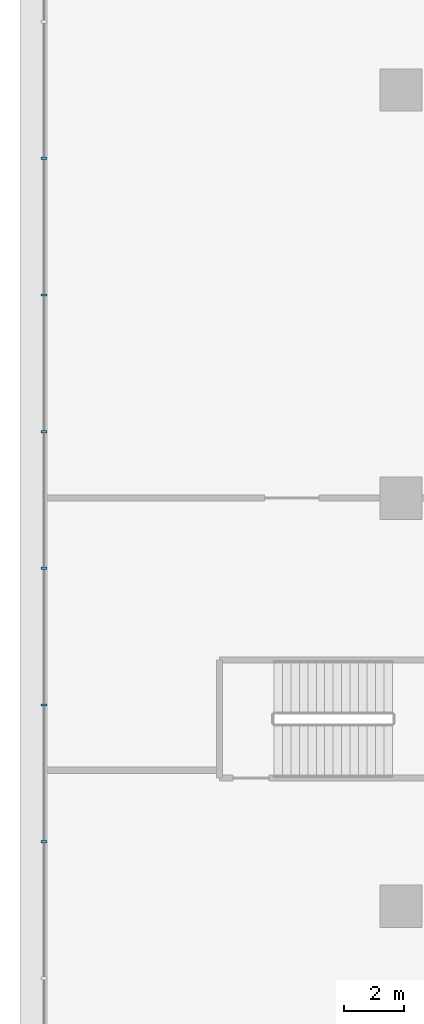
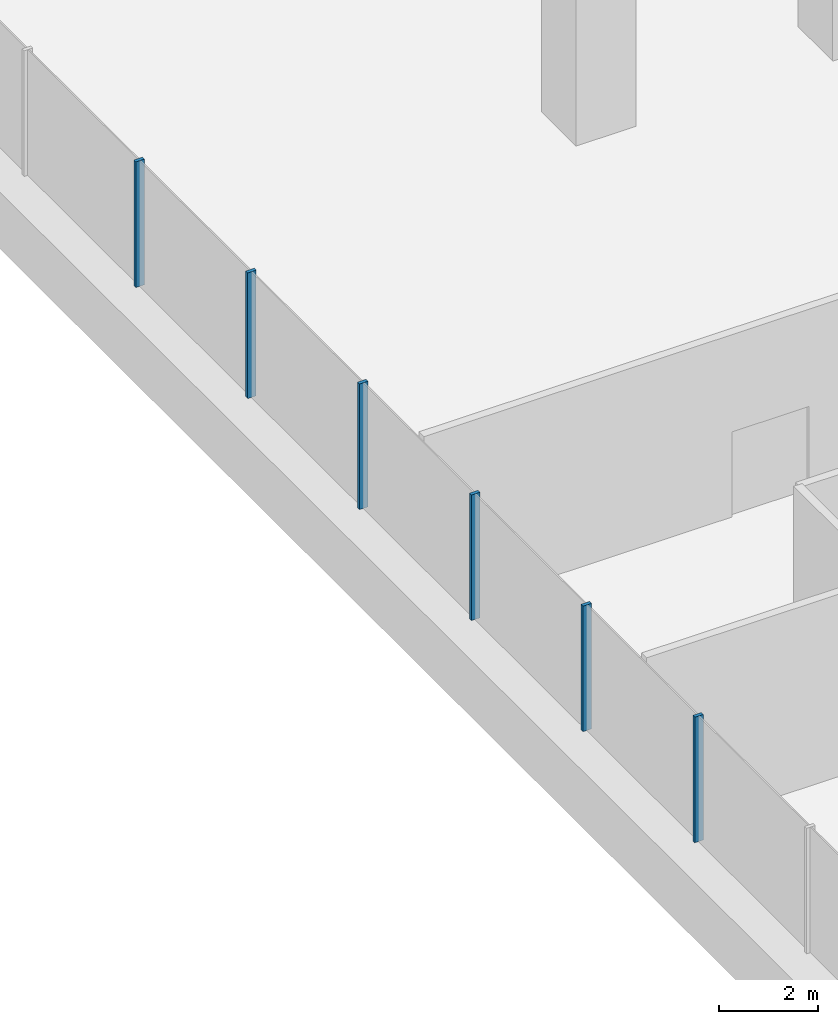
# One storey, part 4 of 44: 6 members, 1 element without a shape of its own.
"""IFC4 building model written with IfcOpenShell, lengths in metres."""

from ifc_helpers import new_model, si_unit, direction, frame, origin, origin_2d, place, context, subcontext, project, spatial, rectangle, extrude, material, layer, layer_set, material_profile, profile_set, type_object, element, aggregate, save


model = new_model("IFC4")

# Units and contexts
model_context = context("Model", 3, precision=1e-05, world=origin(), true_north=direction((0.0, 1.0)))
body_context = subcontext(model_context, "Body", "Model", "MODEL_VIEW")
ifc_project = project(units=[si_unit("LENGTHUNIT", "METRE"), si_unit("AREAUNIT", "SQUARE_METRE"), si_unit("VOLUMEUNIT", "CUBIC_METRE"), si_unit("PLANEANGLEUNIT", "RADIAN"), si_unit("MASSUNIT", "GRAM", prefix="KILO")], contexts=[model_context])

# Site, building, storey
site_placement = place(None, origin())
site = spatial("IfcSite", under=ifc_project, at=site_placement, CompositionType="ELEMENT")
building_placement = place(site_placement, origin())
building = spatial("IfcBuilding", under=site, at=building_placement, Name="Tamarind Cross Interchange Tower", CompositionType="ELEMENT")
storey_placement = place(building_placement, frame((0.0, 0.0, 15.0)))
storey = spatial("IfcBuildingStorey", under=building, at=storey_placement, Name="L02", CompositionType="ELEMENT", Elevation=15.0)

# Curtain wall, members
ifc_material = material(Name="Aluminium 6063-T6", Category="aluminium")
ifc_layer = layer(ifc_material, 0.199951171875)
ifc_layer_set = layer_set([ifc_layer], Name="Aluminium 6063-T6")
curtain_wall_type = type_object("IfcCurtainWallType", Name="Podium shopfront and station curtain wall", PredefinedType="NOTDEFINED", material=ifc_layer_set)
curtain_wall_placement = place(storey_placement, origin())
curtain_wall = element("IfcCurtainWall", 1, at=curtain_wall_placement, inside=storey, type_object=curtain_wall_type, Name="CWS-L02-04", PredefinedType="NOTDEFINED")
ifc_material_profile = material_profile(ifc_material, rectangle(XDim=0.080078125, YDim=0.199951171875, at=origin_2d()), Name="Mullion CW3")
ifc_profile_set = profile_set([ifc_material_profile], Name="Aluminium 6063-T6")
member_type = type_object("IfcMemberType", Name="Mullion CW3", PredefinedType="MULLION", material=ifc_profile_set)
member_1_placement = place(storey_placement, frame((-65.800048828125, -2.26025390625, 1.39990234375), z_axis=(0.0, 0.0, 1.0), x_axis=(0.0, -1.0, 0.0)))
member_1 = element("IfcMember", 2, at=member_1_placement, type_object=member_type, Name="CWM-L02-04-12", PredefinedType="MULLION", context=body_context, shape_type="SweptSolid", body=[
    extrude(rectangle(XDim=0.080078125, YDim=0.199951171875, at=origin_2d()), origin(), (0.0, 0.0, 1.0), 3.10009765625),
])
member_2_placement = place(storey_placement, frame((-65.800048828125, -6.780517578125, 1.39990234375), z_axis=(0.0, 0.0, 1.0), x_axis=(0.0, -1.0, 0.0)))
member_2 = element("IfcMember", 3, at=member_2_placement, type_object=member_type, Name="CWM-L02-04-13", PredefinedType="MULLION", context=body_context, shape_type="SweptSolid", body=[
    extrude(rectangle(XDim=0.080078125, YDim=0.199951171875, at=origin_2d()), origin(), (0.0, 0.0, 1.0), 3.10009765625),
])
member_3_placement = place(storey_placement, frame((-65.800048828125, -11.301025390625, 1.39990234375), z_axis=(0.0, 0.0, 1.0), x_axis=(0.0, -1.0, 0.0)))
member_3 = element("IfcMember", 4, at=member_3_placement, type_object=member_type, Name="CWM-L02-04-14", PredefinedType="MULLION", context=body_context, shape_type="SweptSolid", body=[
    extrude(rectangle(XDim=0.080078125, YDim=0.199951171875, at=origin_2d()), origin(), (0.0, 0.0, 1.0), 3.10009765625),
])
member_4_placement = place(storey_placement, frame((-65.800048828125, -15.8212890625, 1.39990234375), z_axis=(0.0, 0.0, 1.0), x_axis=(0.0, -1.0, 0.0)))
member_4 = element("IfcMember", 5, at=member_4_placement, type_object=member_type, Name="CWM-L02-04-15", PredefinedType="MULLION", context=body_context, shape_type="SweptSolid", body=[
    extrude(rectangle(XDim=0.080078125, YDim=0.199951171875, at=origin_2d()), origin(), (0.0, 0.0, 1.0), 3.10009765625),
])
member_5_placement = place(storey_placement, frame((-65.800048828125, -20.341552734375, 1.39990234375), z_axis=(0.0, 0.0, 1.0), x_axis=(0.0, -1.0, 0.0)))
member_5 = element("IfcMember", 6, at=member_5_placement, type_object=member_type, Name="CWM-L02-04-16", PredefinedType="MULLION", context=body_context, shape_type="SweptSolid", body=[
    extrude(rectangle(XDim=0.080078125, YDim=0.199951171875, at=origin_2d()), origin(), (0.0, 0.0, 1.0), 3.10009765625),
])
member_6_placement = place(storey_placement, frame((-65.800048828125, -24.862060546875, 1.39990234375), z_axis=(0.0, 0.0, 1.0), x_axis=(0.0, -1.0, 0.0)))
member_6 = element("IfcMember", 7, at=member_6_placement, type_object=member_type, Name="CWM-L02-04-17", PredefinedType="MULLION", context=body_context, shape_type="SweptSolid", body=[
    extrude(rectangle(XDim=0.080078125, YDim=0.199951171875, at=origin_2d()), origin(), (0.0, 0.0, 1.0), 3.10009765625),
])
aggregate(curtain_wall, [member_1, member_2, member_3, member_4, member_5, member_6])

save(model, "model.ifc")
